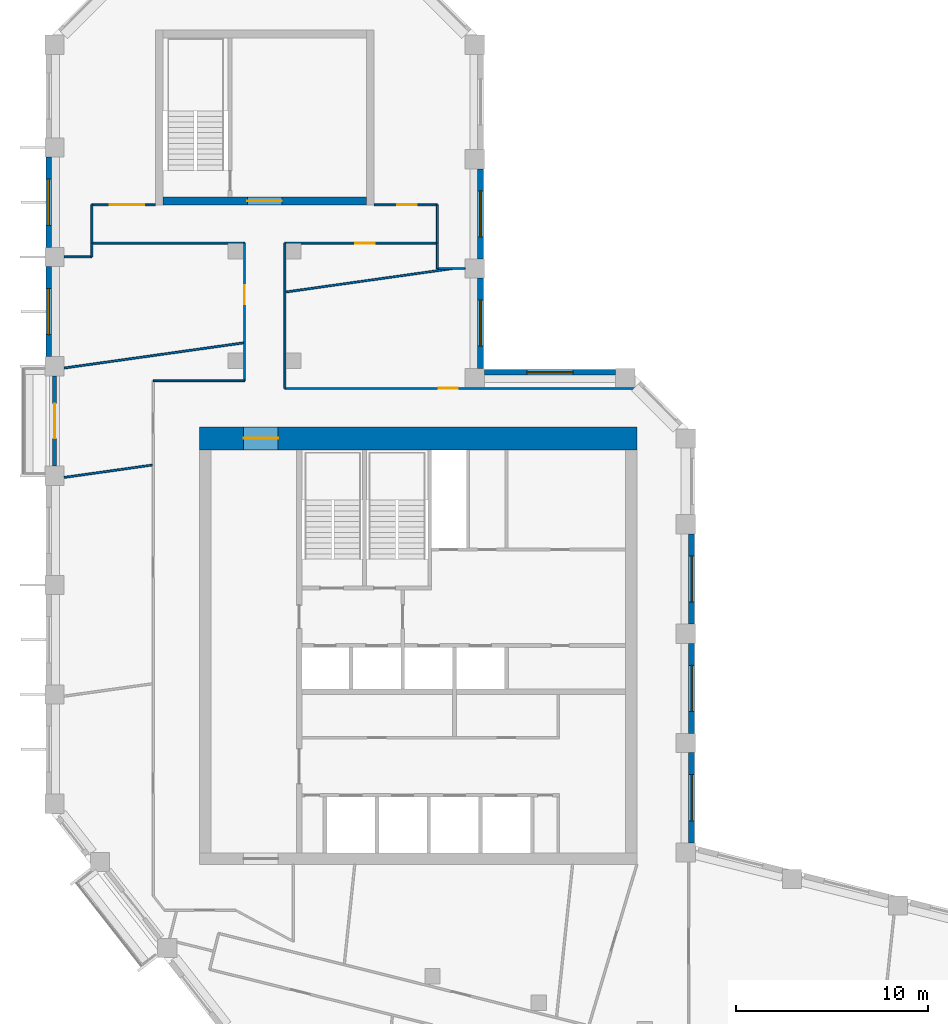
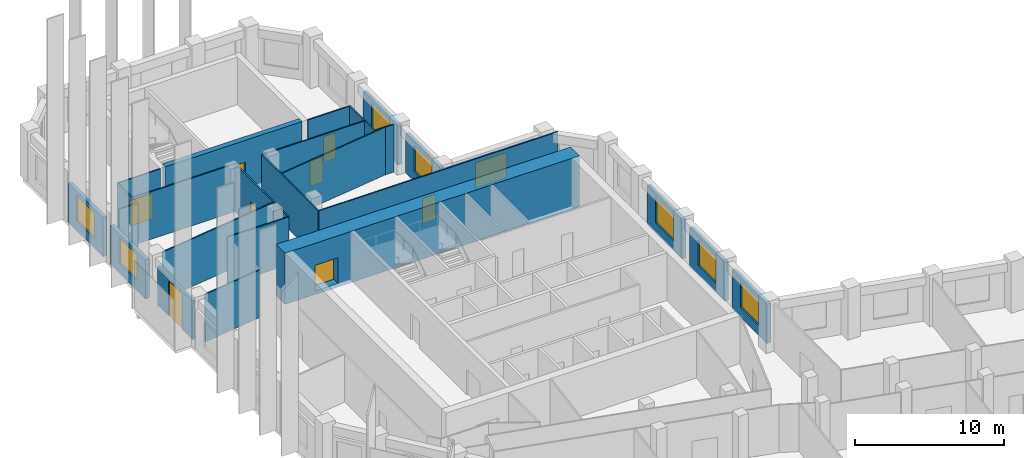
# One storey, part 6 of 9: 28 walls, 8 doors, 8 windows, 16 openings.
"""IFC4 building model written with IfcOpenShell, lengths in metres."""

from ifc_helpers import new_model, si_unit, direction, frame, frame_2d, origin, place, context, subcontext, project, spatial, rectangle, extrude, material, layer, layer_set, type_object, element, fill, save


model = new_model("IFC4")

# Units and contexts
model_context = context("Model", 3, precision=1e-05, world=origin(), true_north=direction((0.0, 1.0)))
body_context = subcontext(model_context, "Body", "Model", "MODEL_VIEW")
ifc_project = project(units=[si_unit("LENGTHUNIT", "METRE"), si_unit("AREAUNIT", "SQUARE_METRE"), si_unit("VOLUMEUNIT", "CUBIC_METRE"), si_unit("PLANEANGLEUNIT", "RADIAN"), si_unit("MASSUNIT", "GRAM", prefix="KILO")], contexts=[model_context])

# Site, building, storey
site_placement = place(None, origin())
site = spatial("IfcSite", under=ifc_project, at=site_placement, CompositionType="ELEMENT")
building_placement = place(site_placement, origin())
building = spatial("IfcBuilding", under=site, at=building_placement, Name="Meshkara Civic Tower", CompositionType="ELEMENT")
storey_placement = place(building_placement, frame((0.0, 0.0, 323.39990234375)))
storey = spatial("IfcBuildingStorey", under=building, at=storey_placement, Name="L74", CompositionType="ELEMENT", Elevation=323.39990234375)

# Wall, opening, door
ifc_material_1 = material(Name="Concrete C60", Category="concrete")
ifc_layer_1 = layer(ifc_material_1, 1.199951171875)
ifc_layer_set_1 = layer_set([ifc_layer_1], Name="Core ring wall 1200 C60")
wall_type_1 = type_object("IfcWallType", Name="Core ring wall 1200 C60", PredefinedType="SHEAR", material=ifc_layer_set_1)
wall_1_placement = place(storey_placement, frame((8.0, 36.300048828125, -0.2998046875), z_axis=(0.0, 0.0, 1.0), x_axis=(1.0, 0.0, 0.0)))
wall_1 = element("IfcWall", 1, at=wall_1_placement, inside=storey, type_object=wall_type_1, Name="L74-C002", PredefinedType="SHEAR", context=body_context, shape_type="SweptSolid", body=[
    extrude(rectangle(XDim=22.800048828125, YDim=1.199951171875, at=frame_2d((11.39990234375, 0.0))), origin(), (0.0, 0.0, 1.0), 4.199951171875),
])
opening_1_placement = place(wall_1_placement, frame((2.300048828125, 0.0, 0.300048828125)))
opening_1 = element("IfcOpeningElement", 2, at=opening_1_placement, cuts=wall_1, Name="Opening L74-K022", PredefinedType="OPENING", context=body_context, shape_type="SweptSolid", body=[
    extrude(rectangle(XDim=1.800048828125, YDim=2.10009765625, at=frame_2d((0.89990234375, 1.050048828125))), frame((0.0, 0.60986328125, 0.0), z_axis=(0.0, -1.0, 0.0), x_axis=(1.0, 0.0, 0.0)), (0.0, 0.0, 1.0), 1.219970703125),
])
ifc_material_2 = material(Name="Fire-rated door leaf in steel frame", Category="steel")
door_type_1 = type_object("IfcDoorType", Name="Core double door 1800 EI 60", OperationType="DOUBLE_DOOR_SINGLE_SWING", PredefinedType="DOOR", material=ifc_material_2)
door_1_placement = place(opening_1_placement, origin())
door_1 = element("IfcDoor", 3, at=door_1_placement, inside=storey, type_object=door_type_1, Name="L74-K022", OperationType="DOUBLE_DOOR_SINGLE_SWING", OverallHeight=2.10009765625, OverallWidth=1.800048828125, PredefinedType="DOOR", context=body_context, shape_type="SweptSolid", body=[
    extrude(rectangle(XDim=1.800048828125, YDim=2.10009765625, at=frame_2d((0.89990234375, 1.050048828125))), frame((0.0, 0.02490234375, 0.0), z_axis=(0.0, -1.0, 0.0), x_axis=(1.0, 0.0, 0.0)), (0.0, 0.0, 1.0), 0.050048828125),
])
fill(opening_1, door_1)

# Walls
ifc_material_3 = material(Name="Corridor wall 100")
ifc_layer_2 = layer(ifc_material_3, 0.10009765625)
ifc_layer_set_2 = layer_set([ifc_layer_2], Name="Corridor wall 100")
wall_type_2 = type_object("IfcWallType", Name="Corridor wall 100", PredefinedType="PARTITIONING", material=ifc_layer_set_2)
wall_2_placement = place(storey_placement, frame((2.39990234375, 46.469970703125, 0.0), z_axis=(0.0, 0.0, 1.0), x_axis=(1.0, 0.0, 0.0)))
element("IfcWall", 4, at=wall_2_placement, inside=storey, type_object=wall_type_2, Name="L74-W001", PredefinedType="PARTITIONING", context=body_context, shape_type="SweptSolid", body=[
    extrude(rectangle(XDim=7.9501953125, YDim=0.10009765625, at=frame_2d((3.97509765625, 0.0))), origin(), (0.0, 0.0, 1.0), 3.900146484375),
])
wall_3_placement = place(storey_placement, frame((2.39990234375, 48.469970703125, 0.0), z_axis=(0.0, 0.0, 1.0), x_axis=(0.0, -1.0, 0.0)))
element("IfcWall", 5, at=wall_3_placement, inside=storey, type_object=wall_type_2, Name="L74-W002", PredefinedType="PARTITIONING", context=body_context, shape_type="SweptSolid", body=[
    extrude(rectangle(XDim=2.0, YDim=0.10009765625, at=frame_2d((1.0, 0.0))), origin(), (0.0, 0.0, 1.0), 3.900146484375),
])

# Wall, opening, door
wall_4_placement = place(storey_placement, frame((5.699951171875, 48.469970703125, 0.0), z_axis=(0.0, 0.0, 1.0), x_axis=(-1.0, 0.0, 0.0)))
wall_4 = element("IfcWall", 6, at=wall_4_placement, inside=storey, type_object=wall_type_2, Name="L74-W005", PredefinedType="PARTITIONING", context=body_context, shape_type="SweptSolid", body=[
    extrude(rectangle(XDim=3.300048828125, YDim=0.10009765625, at=frame_2d((1.64990234375, 0.0))), origin(), (0.0, 0.0, 1.0), 3.900146484375),
])
opening_2_placement = place(wall_4_placement, frame((0.580078125, 0.0, 0.0)))
opening_2 = element("IfcOpeningElement", 7, at=opening_2_placement, cuts=wall_4, Name="Opening L74-D019", PredefinedType="OPENING", context=body_context, shape_type="SweptSolid", body=[
    extrude(rectangle(XDim=1.800048828125, YDim=2.10009765625, at=frame_2d((0.89990234375, 1.050048828125))), frame((0.0, 0.06005859375, 0.0), z_axis=(0.0, -1.0, 0.0), x_axis=(1.0, 0.0, 0.0)), (0.0, 0.0, 1.0), 0.1201171875),
])
ifc_material_4 = material(Name="Door pair 1800 x 2100")
door_type_2 = type_object("IfcDoorType", Name="Door pair 1800 x 2100", OperationType="SINGLE_SWING_LEFT", PredefinedType="DOOR", material=ifc_material_4)
door_2_placement = place(opening_2_placement, origin())
door_2 = element("IfcDoor", 8, at=door_2_placement, inside=storey, type_object=door_type_2, Name="L74-D019", OperationType="DOUBLE_DOOR_SINGLE_SWING", OverallHeight=2.10009765625, OverallWidth=1.800048828125, PredefinedType="DOOR", context=body_context, shape_type="SweptSolid", body=[
    extrude(rectangle(XDim=1.800048828125, YDim=2.10009765625, at=frame_2d((0.89990234375, 1.050048828125))), frame((0.0, 0.02490234375, 0.0), z_axis=(0.0, -1.0, 0.0), x_axis=(1.0, 0.0, 0.0)), (0.0, 0.0, 1.0), 0.050048828125),
])
fill(opening_2, door_2)

# Wall
wall_5_placement = place(storey_placement, frame((10.35009765625, 39.300048828125, 0.0), z_axis=(0.0, 0.0, 1.0), x_axis=(-1.0, 0.0, 0.0)))
element("IfcWall", 9, at=wall_5_placement, inside=storey, type_object=wall_type_2, Name="L74-W011", PredefinedType="PARTITIONING", context=body_context, shape_type="SweptSolid", body=[
    extrude(rectangle(XDim=4.75, YDim=0.10009765625, at=frame_2d((2.375, 0.0))), origin(), (0.0, 0.0, 1.0), 3.900146484375),
])

# Wall, opening, door
wall_6_placement = place(storey_placement, frame((10.35009765625, 46.469970703125, 0.0), z_axis=(0.0, 0.0, 1.0), x_axis=(0.0, -1.0, 0.0)))
wall_6 = element("IfcWall", 10, at=wall_6_placement, inside=storey, type_object=wall_type_2, Name="L74-W012", PredefinedType="PARTITIONING", context=body_context, shape_type="SweptSolid", body=[
    extrude(rectangle(XDim=7.169921875, YDim=0.10009765625, at=frame_2d((3.5849609375, 0.0))), origin(), (0.0, 0.0, 1.0), 3.900146484375),
])
opening_3_placement = place(wall_6_placement, frame((2.179931640625, 0.0, 0.0)))
opening_3 = element("IfcOpeningElement", 11, at=opening_3_placement, cuts=wall_6, Name="Opening L74-D017", PredefinedType="OPENING", context=body_context, shape_type="SweptSolid", body=[
    extrude(rectangle(XDim=1.0, YDim=2.10009765625, at=frame_2d((0.5, 1.050048828125))), frame((0.0, 0.06005859375, 0.0), z_axis=(0.0, -1.0, 0.0), x_axis=(1.0, 0.0, 0.0)), (0.0, 0.0, 1.0), 0.1201171875),
])
ifc_material_5 = material(Name="Door 1000 x 2100")
door_type_3 = type_object("IfcDoorType", Name="Door 1000 x 2100", OperationType="SINGLE_SWING_LEFT", PredefinedType="DOOR", material=ifc_material_5)
door_3_placement = place(opening_3_placement, origin())
door_3 = element("IfcDoor", 12, at=door_3_placement, inside=storey, type_object=door_type_3, Name="L74-D017", OperationType="SINGLE_SWING_LEFT", OverallHeight=2.10009765625, OverallWidth=1.0, PredefinedType="DOOR", context=body_context, shape_type="SweptSolid", body=[
    extrude(rectangle(XDim=1.0, YDim=2.10009765625, at=frame_2d((0.5, 1.050048828125))), frame((0.0, 0.02490234375, 0.0), z_axis=(0.0, -1.0, 0.0), x_axis=(1.0, 0.0, 0.0)), (0.0, 0.0, 1.0), 0.050048828125),
])
fill(opening_3, door_3)

# Wall
wall_7_placement = place(storey_placement, frame((12.449951171875, 46.469970703125, 0.0), z_axis=(0.0, 0.0, 1.0), x_axis=(0.0, -1.0, 0.0)))
element("IfcWall", 13, at=wall_7_placement, inside=storey, type_object=wall_type_2, Name="L74-W013", PredefinedType="PARTITIONING", context=body_context, shape_type="SweptSolid", body=[
    extrude(rectangle(XDim=7.570068359375, YDim=0.10009765625, at=frame_2d((3.78515625, 0.0))), origin(), (0.0, 0.0, 1.0), 3.900146484375),
])

# Wall, opening, door
wall_8_placement = place(storey_placement, frame((12.449951171875, 46.469970703125, 0.0), z_axis=(0.0, 0.0, 1.0), x_axis=(1.0, 0.0, 0.0)))
wall_8 = element("IfcWall", 14, at=wall_8_placement, inside=storey, type_object=wall_type_2, Name="L74-W014", PredefinedType="PARTITIONING", context=body_context, shape_type="SweptSolid", body=[
    extrude(rectangle(XDim=7.949951171875, YDim=0.10009765625, at=frame_2d((3.97509765625, 0.0))), origin(), (0.0, 0.0, 1.0), 3.900146484375),
])
opening_4_placement = place(wall_8_placement, frame((3.679931640625, 0.0, 0.0)))
opening_4 = element("IfcOpeningElement", 15, at=opening_4_placement, cuts=wall_8, Name="Opening L74-D018", PredefinedType="OPENING", context=body_context, shape_type="SweptSolid", body=[
    extrude(rectangle(XDim=1.0, YDim=2.10009765625, at=frame_2d((0.5, 1.050048828125))), frame((0.0, 0.06005859375, 0.0), z_axis=(0.0, -1.0, 0.0), x_axis=(1.0, 0.0, 0.0)), (0.0, 0.0, 1.0), 0.1201171875),
])
door_4_placement = place(opening_4_placement, origin())
door_4 = element("IfcDoor", 16, at=door_4_placement, inside=storey, type_object=door_type_3, Name="L74-D018", OperationType="SINGLE_SWING_LEFT", OverallHeight=2.10009765625, OverallWidth=1.0, PredefinedType="DOOR", context=body_context, shape_type="SweptSolid", body=[
    extrude(rectangle(XDim=1.0, YDim=2.10009765625, at=frame_2d((0.5, 1.050048828125))), frame((0.0, 0.02490234375, 0.0), z_axis=(0.0, -1.0, 0.0), x_axis=(1.0, 0.0, 0.0)), (0.0, 0.0, 1.0), 0.050048828125),
])
fill(opening_4, door_4)

# Wall
wall_9_placement = place(storey_placement, frame((20.39990234375, 46.469970703125, 0.0), z_axis=(0.0, 0.0, 1.0), x_axis=(0.0, 1.0, 0.0)))
element("IfcWall", 17, at=wall_9_placement, inside=storey, type_object=wall_type_2, Name="L74-W016", PredefinedType="PARTITIONING", context=body_context, shape_type="SweptSolid", body=[
    extrude(rectangle(XDim=2.0, YDim=0.10009765625, at=frame_2d((1.0, 0.0))), origin(), (0.0, 0.0, 1.0), 3.900146484375),
])

# Wall, opening, door
wall_10_placement = place(storey_placement, frame((20.39990234375, 48.469970703125, 0.0), z_axis=(0.0, 0.0, 1.0), x_axis=(-1.0, 0.0, 0.0)))
wall_10 = element("IfcWall", 18, at=wall_10_placement, inside=storey, type_object=wall_type_2, Name="L74-W017", PredefinedType="PARTITIONING", context=body_context, shape_type="SweptSolid", body=[
    extrude(rectangle(XDim=3.2998046875, YDim=0.10009765625, at=frame_2d((1.64990234375, 0.0))), origin(), (0.0, 0.0, 1.0), 3.900146484375),
])
opening_5_placement = place(wall_10_placement, frame((1.080078125, 0.0, 0.0)))
opening_5 = element("IfcOpeningElement", 19, at=opening_5_placement, cuts=wall_10, Name="Opening L74-D020", PredefinedType="OPENING", context=body_context, shape_type="SweptSolid", body=[
    extrude(rectangle(XDim=1.0, YDim=2.10009765625, at=frame_2d((0.5, 1.050048828125))), frame((0.0, 0.06005859375, 0.0), z_axis=(0.0, -1.0, 0.0), x_axis=(1.0, 0.0, 0.0)), (0.0, 0.0, 1.0), 0.1201171875),
])
door_5_placement = place(opening_5_placement, origin())
door_5 = element("IfcDoor", 20, at=door_5_placement, inside=storey, type_object=door_type_3, Name="L74-D020", OperationType="SINGLE_SWING_RIGHT", OverallHeight=2.10009765625, OverallWidth=1.0, PredefinedType="DOOR", context=body_context, shape_type="SweptSolid", body=[
    extrude(rectangle(XDim=1.0, YDim=2.10009765625, at=frame_2d((0.5, 1.050048828125))), frame((0.0, 0.02490234375, 0.0), z_axis=(0.0, -1.0, 0.0), x_axis=(1.0, 0.0, 0.0)), (0.0, 0.0, 1.0), 0.050048828125),
])
fill(opening_5, door_5)

wall_11_placement = place(storey_placement, frame((30.9560546875, 38.89990234375, 0.0), z_axis=(0.0, 0.0, 1.0), x_axis=(-1.0, 0.0, 0.0)))
wall_11 = element("IfcWall", 21, at=wall_11_placement, inside=storey, type_object=wall_type_2, Name="L74-W021", PredefinedType="PARTITIONING", context=body_context, shape_type="SweptSolid", body=[
    extrude(rectangle(XDim=18.506103515625, YDim=0.10009765625, at=frame_2d((9.2529296875, 0.0))), origin(), (0.0, 0.0, 1.0), 3.900146484375),
])
opening_6_placement = place(wall_11_placement, frame((9.47998046875, 0.0, 0.0)))
opening_6 = element("IfcOpeningElement", 22, at=opening_6_placement, cuts=wall_11, Name="Opening L74-D016", PredefinedType="OPENING", context=body_context, shape_type="SweptSolid", body=[
    extrude(rectangle(XDim=1.0, YDim=2.10009765625, at=frame_2d((0.5, 1.050048828125))), frame((0.0, 0.06005859375, 0.0), z_axis=(0.0, -1.0, 0.0), x_axis=(1.0, 0.0, 0.0)), (0.0, 0.0, 1.0), 0.1201171875),
])
door_6_placement = place(opening_6_placement, origin())
door_6 = element("IfcDoor", 23, at=door_6_placement, inside=storey, type_object=door_type_3, Name="L74-D016", OperationType="SINGLE_SWING_LEFT", OverallHeight=2.10009765625, OverallWidth=1.0, PredefinedType="DOOR", context=body_context, shape_type="SweptSolid", body=[
    extrude(rectangle(XDim=1.0, YDim=2.10009765625, at=frame_2d((0.5, 1.050048828125))), frame((0.0, 0.02490234375, 0.0), z_axis=(0.0, -1.0, 0.0), x_axis=(1.0, 0.0, 0.0)), (0.0, 0.0, 1.0), 0.050048828125),
])
fill(opening_6, door_6)

# Wall, opening, window
ifc_material_6 = material(Name="Insulated infill panel with bronze anodised aluminium cladding", Category="aluminium")
ifc_layer_3 = layer(ifc_material_6, 0.300048828125)
ifc_layer_set_3 = layer_set([ifc_layer_3], Name="EXTERNAL INFILL WALL 300")
wall_type_3 = type_object("IfcWallType", Name="EXTERNAL INFILL WALL 300", PredefinedType="SOLIDWALL", material=ifc_layer_set_3)
wall_12_placement = place(storey_placement, frame((33.64990234375, 15.218994140625, 0.0), z_axis=(0.0, 0.0, 1.0), x_axis=(0.0, 1.0, 0.0)))
wall_12 = element("IfcWall", 24, at=wall_12_placement, inside=storey, type_object=wall_type_3, Name="External wall", PredefinedType="SOLIDWALL", context=body_context, shape_type="SweptSolid", body=[
    extrude(rectangle(XDim=4.699951171875, YDim=0.300048828125, at=frame_2d((2.35009765625, 0.0))), origin(), (0.0, 0.0, 1.0), 3.2001953125),
])
opening_7_placement = place(wall_12_placement, frame((1.14990234375, 0.0, 0.800048828125)))
opening_7 = element("IfcOpeningElement", 25, at=opening_7_placement, cuts=wall_12, Name="Opening W7", PredefinedType="OPENING", context=body_context, shape_type="SweptSolid", body=[
    extrude(rectangle(XDim=2.39990234375, YDim=2.10009765625, at=frame_2d((1.199951171875, 1.050048828125))), frame((0.0, 0.159912109375, 0.0), z_axis=(0.0, -1.0, 0.0), x_axis=(1.0, 0.0, 0.0)), (0.0, 0.0, 1.0), 0.320068359375),
])
ifc_material_7 = material(Name="Tinted double glazing", Category="glass")
window_type = type_object("IfcWindowType", Name="WINDOW 2400x2100", PartitioningType="DOUBLE_PANEL_VERTICAL", PredefinedType="WINDOW", material=ifc_material_7)
window_1_placement = place(opening_7_placement, origin())
window_1 = element("IfcWindow", 26, at=window_1_placement, inside=storey, type_object=window_type, Name="Window", OverallHeight=2.10009765625, OverallWidth=2.39990234375, PartitioningType="DOUBLE_PANEL_VERTICAL", PredefinedType="WINDOW", context=body_context, shape_type="SweptSolid", body=[
    extrude(rectangle(XDim=2.39990234375, YDim=2.10009765625, at=frame_2d((1.199951171875, 1.050048828125))), frame((0.0, 0.030029296875, 0.0), z_axis=(0.0, -1.0, 0.0), x_axis=(1.0, 0.0, 0.0)), (0.0, 0.0, 1.0), 0.06005859375),
])
fill(opening_7, window_1)

wall_13_placement = place(storey_placement, frame((33.64990234375, 20.9189453125, 0.0), z_axis=(0.0, 0.0, 1.0), x_axis=(0.0, 1.0, 0.0)))
wall_13 = element("IfcWall", 27, at=wall_13_placement, inside=storey, type_object=wall_type_3, Name="External wall", PredefinedType="SOLIDWALL", context=body_context, shape_type="SweptSolid", body=[
    extrude(rectangle(XDim=4.699951171875, YDim=0.300048828125, at=frame_2d((2.35009765625, 0.0))), origin(), (0.0, 0.0, 1.0), 3.2001953125),
])
opening_8_placement = place(wall_13_placement, frame((1.14990234375, 0.0, 0.800048828125)))
opening_8 = element("IfcOpeningElement", 28, at=opening_8_placement, cuts=wall_13, Name="Opening W7", PredefinedType="OPENING", context=body_context, shape_type="SweptSolid", body=[
    extrude(rectangle(XDim=2.39990234375, YDim=2.10009765625, at=frame_2d((1.199951171875, 1.050048828125))), frame((0.0, 0.159912109375, 0.0), z_axis=(0.0, -1.0, 0.0), x_axis=(1.0, 0.0, 0.0)), (0.0, 0.0, 1.0), 0.320068359375),
])
window_2_placement = place(opening_8_placement, origin())
window_2 = element("IfcWindow", 29, at=window_2_placement, inside=storey, type_object=window_type, Name="Window", OverallHeight=2.10009765625, OverallWidth=2.39990234375, PartitioningType="DOUBLE_PANEL_VERTICAL", PredefinedType="WINDOW", context=body_context, shape_type="SweptSolid", body=[
    extrude(rectangle(XDim=2.39990234375, YDim=2.10009765625, at=frame_2d((1.199951171875, 1.050048828125))), frame((0.0, 0.030029296875, 0.0), z_axis=(0.0, -1.0, 0.0), x_axis=(1.0, 0.0, 0.0)), (0.0, 0.0, 1.0), 0.06005859375),
])
fill(opening_8, window_2)

wall_14_placement = place(storey_placement, frame((33.64990234375, 26.618896484375, 0.0), z_axis=(0.0, 0.0, 1.0), x_axis=(0.0, 1.0, 0.0)))
wall_14 = element("IfcWall", 30, at=wall_14_placement, inside=storey, type_object=wall_type_3, Name="External wall", PredefinedType="SOLIDWALL", context=body_context, shape_type="SweptSolid", body=[
    extrude(rectangle(XDim=4.7001953125, YDim=0.300048828125, at=frame_2d((2.35009765625, 0.0))), origin(), (0.0, 0.0, 1.0), 3.2001953125),
])
opening_9_placement = place(wall_14_placement, frame((1.14990234375, 0.0, 0.800048828125)))
opening_9 = element("IfcOpeningElement", 31, at=opening_9_placement, cuts=wall_14, Name="Opening W7", PredefinedType="OPENING", context=body_context, shape_type="SweptSolid", body=[
    extrude(rectangle(XDim=2.39990234375, YDim=2.10009765625, at=frame_2d((1.199951171875, 1.050048828125))), frame((0.0, 0.159912109375, 0.0), z_axis=(0.0, -1.0, 0.0), x_axis=(1.0, 0.0, 0.0)), (0.0, 0.0, 1.0), 0.320068359375),
])
window_3_placement = place(opening_9_placement, origin())
window_3 = element("IfcWindow", 32, at=window_3_placement, inside=storey, type_object=window_type, Name="Window", OverallHeight=2.10009765625, OverallWidth=2.39990234375, PartitioningType="DOUBLE_PANEL_VERTICAL", PredefinedType="WINDOW", context=body_context, shape_type="SweptSolid", body=[
    extrude(rectangle(XDim=2.39990234375, YDim=2.10009765625, at=frame_2d((1.199951171875, 1.050048828125))), frame((0.0, 0.030029296875, 0.0), z_axis=(0.0, -1.0, 0.0), x_axis=(1.0, 0.0, 0.0)), (0.0, 0.0, 1.0), 0.06005859375),
])
fill(opening_9, window_3)

wall_15_placement = place(storey_placement, frame((29.694091796875, 39.75, 0.0), z_axis=(0.0, 0.0, 1.0), x_axis=(-1.0, 0.0, 0.0)))
wall_15 = element("IfcWall", 33, at=wall_15_placement, inside=storey, type_object=wall_type_3, Name="External wall", PredefinedType="SOLIDWALL", context=body_context, shape_type="SweptSolid", body=[
    extrude(rectangle(XDim=6.843994140625, YDim=0.300048828125, at=frame_2d((3.421875, 0.0))), origin(), (0.0, 0.0, 1.0), 3.2001953125),
])
opening_10_placement = place(wall_15_placement, frame((2.221923828125, 0.0, 0.800048828125)))
opening_10 = element("IfcOpeningElement", 34, at=opening_10_placement, cuts=wall_15, Name="Opening W7", PredefinedType="OPENING", context=body_context, shape_type="SweptSolid", body=[
    extrude(rectangle(XDim=2.39990234375, YDim=2.10009765625, at=frame_2d((1.199951171875, 1.050048828125))), frame((0.0, 0.159912109375, 0.0), z_axis=(0.0, -1.0, 0.0), x_axis=(1.0, 0.0, 0.0)), (0.0, 0.0, 1.0), 0.320068359375),
])
window_4_placement = place(opening_10_placement, origin())
window_4 = element("IfcWindow", 35, at=window_4_placement, inside=storey, type_object=window_type, Name="Window", OverallHeight=2.10009765625, OverallWidth=2.39990234375, PartitioningType="DOUBLE_PANEL_VERTICAL", PredefinedType="WINDOW", context=body_context, shape_type="SweptSolid", body=[
    extrude(rectangle(XDim=2.39990234375, YDim=2.10009765625, at=frame_2d((1.199951171875, 1.050048828125))), frame((0.0, 0.030029296875, 0.0), z_axis=(0.0, -1.0, 0.0), x_axis=(1.0, 0.0, 0.0)), (0.0, 0.0, 1.0), 0.06005859375),
])
fill(opening_10, window_4)

wall_16_placement = place(storey_placement, frame((22.64990234375, 39.949951171875, 0.0), z_axis=(0.0, 0.0, 1.0), x_axis=(0.0, 1.0, 0.0)))
wall_16 = element("IfcWall", 36, at=wall_16_placement, inside=storey, type_object=wall_type_3, Name="External wall", PredefinedType="SOLIDWALL", context=body_context, shape_type="SweptSolid", body=[
    extrude(rectangle(XDim=4.699951171875, YDim=0.300048828125, at=frame_2d((2.35009765625, 0.0))), origin(), (0.0, 0.0, 1.0), 3.2001953125),
])
opening_11_placement = place(wall_16_placement, frame((1.14990234375, 0.0, 0.800048828125)))
opening_11 = element("IfcOpeningElement", 37, at=opening_11_placement, cuts=wall_16, Name="Opening W7", PredefinedType="OPENING", context=body_context, shape_type="SweptSolid", body=[
    extrude(rectangle(XDim=2.39990234375, YDim=2.10009765625, at=frame_2d((1.199951171875, 1.050048828125))), frame((0.0, 0.159912109375, 0.0), z_axis=(0.0, -1.0, 0.0), x_axis=(1.0, 0.0, 0.0)), (0.0, 0.0, 1.0), 0.320068359375),
])
window_5_placement = place(opening_11_placement, origin())
window_5 = element("IfcWindow", 38, at=window_5_placement, inside=storey, type_object=window_type, Name="Window", OverallHeight=2.10009765625, OverallWidth=2.39990234375, PartitioningType="DOUBLE_PANEL_VERTICAL", PredefinedType="WINDOW", context=body_context, shape_type="SweptSolid", body=[
    extrude(rectangle(XDim=2.39990234375, YDim=2.10009765625, at=frame_2d((1.199951171875, 1.050048828125))), frame((0.0, 0.030029296875, 0.0), z_axis=(0.0, -1.0, 0.0), x_axis=(1.0, 0.0, 0.0)), (0.0, 0.0, 1.0), 0.06005859375),
])
fill(opening_11, window_5)

wall_17_placement = place(storey_placement, frame((22.64990234375, 45.64990234375, 0.0), z_axis=(0.0, 0.0, 1.0), x_axis=(0.0, 1.0, 0.0)))
wall_17 = element("IfcWall", 39, at=wall_17_placement, inside=storey, type_object=wall_type_3, Name="External wall", PredefinedType="SOLIDWALL", context=body_context, shape_type="SweptSolid", body=[
    extrude(rectangle(XDim=4.7001953125, YDim=0.300048828125, at=frame_2d((2.35009765625, 0.0))), origin(), (0.0, 0.0, 1.0), 3.2001953125),
])
opening_12_placement = place(wall_17_placement, frame((1.14990234375, 0.0, 0.800048828125)))
opening_12 = element("IfcOpeningElement", 40, at=opening_12_placement, cuts=wall_17, Name="Opening W7", PredefinedType="OPENING", context=body_context, shape_type="SweptSolid", body=[
    extrude(rectangle(XDim=2.39990234375, YDim=2.10009765625, at=frame_2d((1.199951171875, 1.050048828125))), frame((0.0, 0.159912109375, 0.0), z_axis=(0.0, -1.0, 0.0), x_axis=(1.0, 0.0, 0.0)), (0.0, 0.0, 1.0), 0.320068359375),
])
window_6_placement = place(opening_12_placement, origin())
window_6 = element("IfcWindow", 41, at=window_6_placement, inside=storey, type_object=window_type, Name="Window", OverallHeight=2.10009765625, OverallWidth=2.39990234375, PartitioningType="DOUBLE_PANEL_VERTICAL", PredefinedType="WINDOW", context=body_context, shape_type="SweptSolid", body=[
    extrude(rectangle(XDim=2.39990234375, YDim=2.10009765625, at=frame_2d((1.199951171875, 1.050048828125))), frame((0.0, 0.030029296875, 0.0), z_axis=(0.0, -1.0, 0.0), x_axis=(1.0, 0.0, 0.0)), (0.0, 0.0, 1.0), 0.06005859375),
])
fill(opening_12, window_6)

wall_18_placement = place(storey_placement, frame((0.14990234375, 50.955078125, 0.0), z_axis=(0.0, 0.0, 1.0), x_axis=(0.0, -1.0, 0.0)))
wall_18 = element("IfcWall", 42, at=wall_18_placement, inside=storey, type_object=wall_type_3, Name="External wall", PredefinedType="SOLIDWALL", context=body_context, shape_type="SweptSolid", body=[
    extrude(rectangle(XDim=4.7001953125, YDim=0.300048828125, at=frame_2d((2.35009765625, 0.0))), origin(), (0.0, 0.0, 1.0), 3.2001953125),
])
opening_13_placement = place(wall_18_placement, frame((1.14990234375, 0.0, 0.800048828125)))
opening_13 = element("IfcOpeningElement", 43, at=opening_13_placement, cuts=wall_18, Name="Opening W7", PredefinedType="OPENING", context=body_context, shape_type="SweptSolid", body=[
    extrude(rectangle(XDim=2.39990234375, YDim=2.10009765625, at=frame_2d((1.199951171875, 1.050048828125))), frame((0.0, 0.159912109375, 0.0), z_axis=(0.0, -1.0, 0.0), x_axis=(1.0, 0.0, 0.0)), (0.0, 0.0, 1.0), 0.320068359375),
])
window_7_placement = place(opening_13_placement, origin())
window_7 = element("IfcWindow", 44, at=window_7_placement, inside=storey, type_object=window_type, Name="Window", OverallHeight=2.10009765625, OverallWidth=2.39990234375, PartitioningType="DOUBLE_PANEL_VERTICAL", PredefinedType="WINDOW", context=body_context, shape_type="SweptSolid", body=[
    extrude(rectangle(XDim=2.39990234375, YDim=2.10009765625, at=frame_2d((1.199951171875, 1.050048828125))), frame((0.0, 0.030029296875, 0.0), z_axis=(0.0, -1.0, 0.0), x_axis=(1.0, 0.0, 0.0)), (0.0, 0.0, 1.0), 0.06005859375),
])
fill(opening_13, window_7)

wall_19_placement = place(storey_placement, frame((0.14990234375, 45.2548828125, 0.0), z_axis=(0.0, 0.0, 1.0), x_axis=(0.0, -1.0, 0.0)))
wall_19 = element("IfcWall", 45, at=wall_19_placement, inside=storey, type_object=wall_type_3, Name="External wall", PredefinedType="SOLIDWALL", context=body_context, shape_type="SweptSolid", body=[
    extrude(rectangle(XDim=4.699951171875, YDim=0.300048828125, at=frame_2d((2.35009765625, 0.0))), origin(), (0.0, 0.0, 1.0), 3.2001953125),
])
opening_14_placement = place(wall_19_placement, frame((1.14990234375, 0.0, 0.800048828125)))
opening_14 = element("IfcOpeningElement", 46, at=opening_14_placement, cuts=wall_19, Name="Opening W7", PredefinedType="OPENING", context=body_context, shape_type="SweptSolid", body=[
    extrude(rectangle(XDim=2.39990234375, YDim=2.10009765625, at=frame_2d((1.199951171875, 1.050048828125))), frame((0.0, 0.159912109375, 0.0), z_axis=(0.0, -1.0, 0.0), x_axis=(1.0, 0.0, 0.0)), (0.0, 0.0, 1.0), 0.320068359375),
])
window_8_placement = place(opening_14_placement, origin())
window_8 = element("IfcWindow", 47, at=window_8_placement, inside=storey, type_object=window_type, Name="Window", OverallHeight=2.10009765625, OverallWidth=2.39990234375, PartitioningType="DOUBLE_PANEL_VERTICAL", PredefinedType="WINDOW", context=body_context, shape_type="SweptSolid", body=[
    extrude(rectangle(XDim=2.39990234375, YDim=2.10009765625, at=frame_2d((1.199951171875, 1.050048828125))), frame((0.0, 0.030029296875, 0.0), z_axis=(0.0, -1.0, 0.0), x_axis=(1.0, 0.0, 0.0)), (0.0, 0.0, 1.0), 0.06005859375),
])
fill(opening_14, window_8)

# Wall, opening, door
ifc_material_8 = material(Name="Concrete C60", Category="concrete")
ifc_layer_4 = layer(ifc_material_8, 0.39990234375)
ifc_layer_set_4 = layer_set([ifc_layer_4], Name="End core ring wall 400 C60")
wall_type_4 = type_object("IfcWallType", Name="End core ring wall 400 C60", PredefinedType="SHEAR", material=ifc_layer_set_4)
wall_20_placement = place(storey_placement, frame((6.10009765625, 48.669921875, -0.2998046875), z_axis=(0.0, 0.0, 1.0), x_axis=(1.0, 0.0, 0.0)))
wall_20 = element("IfcWall", 48, at=wall_20_placement, inside=storey, type_object=wall_type_4, Name="L74-C029", PredefinedType="SHEAR", context=body_context, shape_type="SweptSolid", body=[
    extrude(rectangle(XDim=10.599853515625, YDim=0.39990234375, at=frame_2d((5.2998046875, 0.0))), origin(), (0.0, 0.0, 1.0), 4.199951171875),
])
opening_15_placement = place(wall_20_placement, frame((4.39990234375, 0.0, 0.300048828125)))
opening_15 = element("IfcOpeningElement", 49, at=opening_15_placement, cuts=wall_20, Name="Opening L74-K102", PredefinedType="OPENING", context=body_context, shape_type="SweptSolid", body=[
    extrude(rectangle(XDim=1.800048828125, YDim=2.10009765625, at=frame_2d((0.89990234375, 1.050048828125))), frame((0.0, 0.2099609375, 0.0), z_axis=(0.0, -1.0, 0.0), x_axis=(1.0, 0.0, 0.0)), (0.0, 0.0, 1.0), 0.419921875),
])
door_7_placement = place(opening_15_placement, origin())
door_7 = element("IfcDoor", 50, at=door_7_placement, inside=storey, type_object=door_type_1, Name="L74-K102", OperationType="DOUBLE_DOOR_SINGLE_SWING", OverallHeight=2.10009765625, OverallWidth=1.800048828125, PredefinedType="DOOR", context=body_context, shape_type="SweptSolid", body=[
    extrude(rectangle(XDim=1.800048828125, YDim=2.10009765625, at=frame_2d((0.89990234375, 1.050048828125))), frame((0.0, 0.02490234375, 0.0), z_axis=(0.0, -1.0, 0.0), x_axis=(1.0, 0.0, 0.0)), (0.0, 0.0, 1.0), 0.050048828125),
])
fill(opening_15, door_7)

ifc_material_9 = material(Name="Insulated infill panel with bronze anodised aluminium cladding", Category="aluminium")
ifc_layer_5 = layer(ifc_material_9, 0.199951171875)
ifc_layer_set_5 = layer_set([ifc_layer_5], Name="LOGGIA BACK WALL 200")
wall_type_5 = type_object("IfcWallType", Name="LOGGIA BACK WALL 200", PredefinedType="SOLIDWALL", material=ifc_layer_set_5)
wall_21_placement = place(storey_placement, frame((0.449951171875, 39.554931640625, 0.0), z_axis=(0.0, 0.0, 1.0), x_axis=(0.0, -1.0, 0.0)))
wall_21 = element("IfcWall", 51, at=wall_21_placement, inside=storey, type_object=wall_type_5, Name="Loggia wall", PredefinedType="SOLIDWALL", context=body_context, shape_type="SweptSolid", body=[
    extrude(rectangle(XDim=4.699951171875, YDim=0.199951171875, at=frame_2d((2.35009765625, 0.0))), origin(), (0.0, 0.0, 1.0), 3.2001953125),
])
opening_16_placement = place(wall_21_placement, frame((1.449951171875, 0.0, 0.0)))
opening_16 = element("IfcOpeningElement", 52, at=opening_16_placement, cuts=wall_21, Name="Opening L74-L001", PredefinedType="OPENING", context=body_context, shape_type="SweptSolid", body=[
    extrude(rectangle(XDim=1.800048828125, YDim=2.89990234375, at=frame_2d((0.89990234375, 1.449951171875))), frame((0.0, 0.10986328125, 0.0), z_axis=(0.0, -1.0, 0.0), x_axis=(1.0, 0.0, 0.0)), (0.0, 0.0, 1.0), 0.219970703125),
])
ifc_material_10 = material(Name="Tinted double glazing", Category="glass")
door_type_4 = type_object("IfcDoorType", Name="LOGGIA DOOR 1800x2900", OperationType="DOUBLE_DOOR_SINGLE_SWING", PredefinedType="DOOR", material=ifc_material_10)
door_8_placement = place(opening_16_placement, origin())
door_8 = element("IfcDoor", 53, at=door_8_placement, inside=storey, type_object=door_type_4, Name="L74-L001", OperationType="DOUBLE_DOOR_SINGLE_SWING", OverallHeight=2.89990234375, OverallWidth=1.800048828125, PredefinedType="DOOR", context=body_context, shape_type="SweptSolid", body=[
    extrude(rectangle(XDim=1.800048828125, YDim=2.89990234375, at=frame_2d((0.89990234375, 1.449951171875))), frame((0.0, 0.02490234375, 0.0), z_axis=(0.0, -1.0, 0.0), x_axis=(1.0, 0.0, 0.0)), (0.0, 0.0, 1.0), 0.050048828125),
])
fill(opening_16, door_8)

# Walls
ifc_material_11 = material(Name="Partition 100")
ifc_layer_6 = layer(ifc_material_11, 0.10009765625)
ifc_layer_set_6 = layer_set([ifc_layer_6], Name="Partition 100")
wall_type_6 = type_object("IfcWallType", Name="Partition 100", PredefinedType="PARTITIONING", material=ifc_layer_set_6)
wall_22_placement = place(storey_placement, frame((2.39990234375, 45.7548828125, 0.0), z_axis=(0.0, 0.0, 1.0), x_axis=(-1.0, 0.0, 0.0)))
element("IfcWall", 54, at=wall_22_placement, inside=storey, type_object=wall_type_6, Name="L74-W036", PredefinedType="PARTITIONING", context=body_context, shape_type="SweptSolid", body=[
    extrude(rectangle(XDim=1.449951171875, YDim=0.10009765625, at=frame_2d((0.72509765625, 0.0))), origin(), (0.0, 0.0, 1.0), 3.900146484375),
])
wall_23_placement = place(storey_placement, frame((2.39990234375, 46.47412109375, 0.0), z_axis=(0.0, 0.0, 1.0), x_axis=(0.0, -1.0, 0.0)))
element("IfcWall", 55, at=wall_23_placement, inside=storey, type_object=wall_type_6, Name="L74-W037", PredefinedType="PARTITIONING", context=body_context, shape_type="SweptSolid", body=[
    extrude(rectangle(XDim=0.71923828125, YDim=0.10009765625, at=frame_2d((0.359619140625, 0.0))), origin(), (0.0, 0.0, 1.0), 3.900146484375),
])
wall_24_placement = place(storey_placement, frame((5.54296875, 34.908935546875, 0.0), z_axis=(0.0, 0.0, 1.0), x_axis=(-0.990253516423, -0.139276606839, 0.0)))
element("IfcWall", 56, at=wall_24_placement, inside=storey, type_object=wall_type_6, Name="L74-W039", PredefinedType="PARTITIONING", context=body_context, shape_type="SweptSolid", body=[
    extrude(rectangle(XDim=4.63818359375, YDim=0.10009765625, at=frame_2d((2.319091796875, 0.0))), origin(), (0.0, 0.0, 1.0), 3.900146484375),
])
wall_25_placement = place(storey_placement, frame((10.29296875, 41.27587890625, 0.0), z_axis=(0.0, 0.0, 1.0), x_axis=(-0.990269342583, -0.139164036803, 0.0)))
element("IfcWall", 57, at=wall_25_placement, inside=storey, type_object=wall_type_6, Name="L74-W042", PredefinedType="PARTITIONING", context=body_context, shape_type="SweptSolid", body=[
    extrude(rectangle(XDim=9.434814453125, YDim=0.10009765625, at=frame_2d((4.71728515625, 0.0))), origin(), (0.0, 0.0, 1.0), 3.900146484375),
])
wall_26_placement = place(storey_placement, frame((20.39990234375, 45.14990234375, 0.0), z_axis=(0.0, 0.0, 1.0), x_axis=(1.0, 0.0, 0.0)))
element("IfcWall", 58, at=wall_26_placement, inside=storey, type_object=wall_type_6, Name="L74-W045", PredefinedType="PARTITIONING", context=body_context, shape_type="SweptSolid", body=[
    extrude(rectangle(XDim=1.4501953125, YDim=0.10009765625, at=frame_2d((0.72509765625, 0.0))), origin(), (0.0, 0.0, 1.0), 3.900146484375),
])
wall_27_placement = place(storey_placement, frame((20.39990234375, 46.47412109375, 0.0), z_axis=(0.0, 0.0, 1.0), x_axis=(0.0, -1.0, 0.0)))
element("IfcWall", 59, at=wall_27_placement, inside=storey, type_object=wall_type_6, Name="L74-W046", PredefinedType="PARTITIONING", context=body_context, shape_type="SweptSolid", body=[
    extrude(rectangle(XDim=1.32421875, YDim=0.10009765625, at=frame_2d((0.662109375, 0.0))), origin(), (0.0, 0.0, 1.0), 3.900146484375),
])
wall_28_placement = place(storey_placement, frame((21.200927734375, 45.14990234375, 0.0), z_axis=(0.0, 0.0, 1.0), x_axis=(-0.990266762271, -0.139182396663, 0.0)))
element("IfcWall", 60, at=wall_28_placement, inside=storey, type_object=wall_type_6, Name="L74-W047", PredefinedType="PARTITIONING", context=body_context, shape_type="SweptSolid", body=[
    extrude(rectangle(XDim=8.779296875, YDim=0.10009765625, at=frame_2d((4.3896484375, 0.0))), origin(), (0.0, 0.0, 1.0), 3.900146484375),
])

save(model, "model.ifc")
